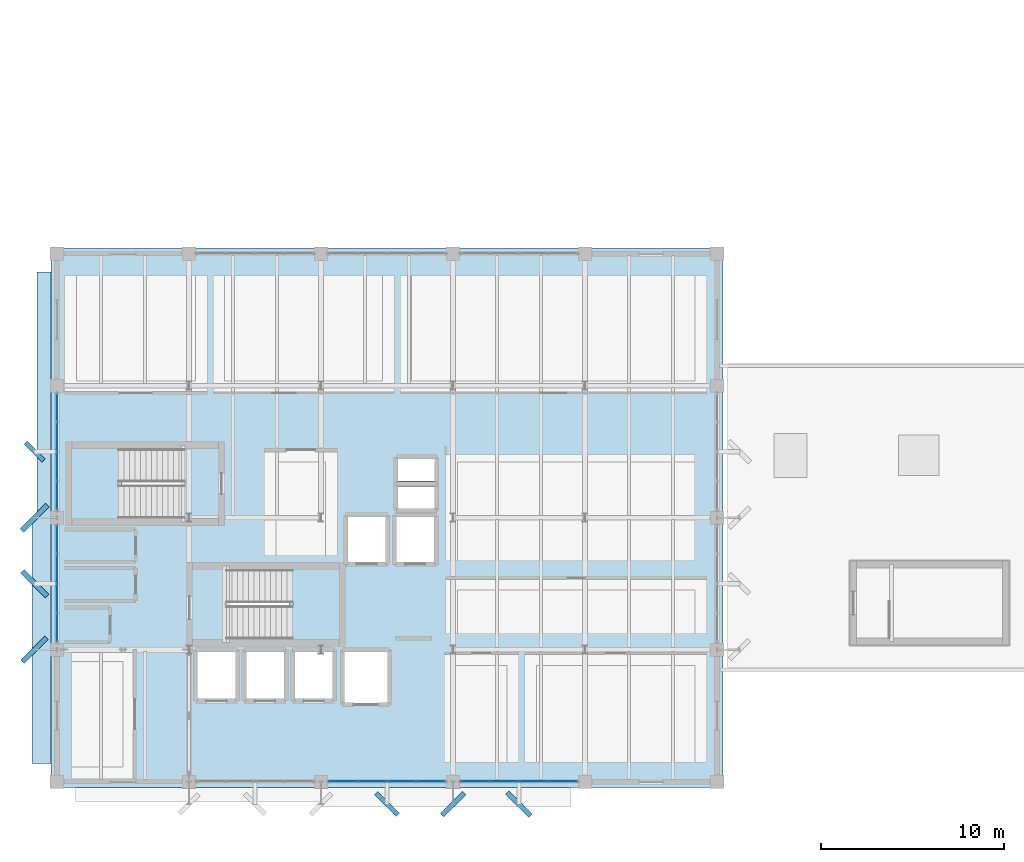
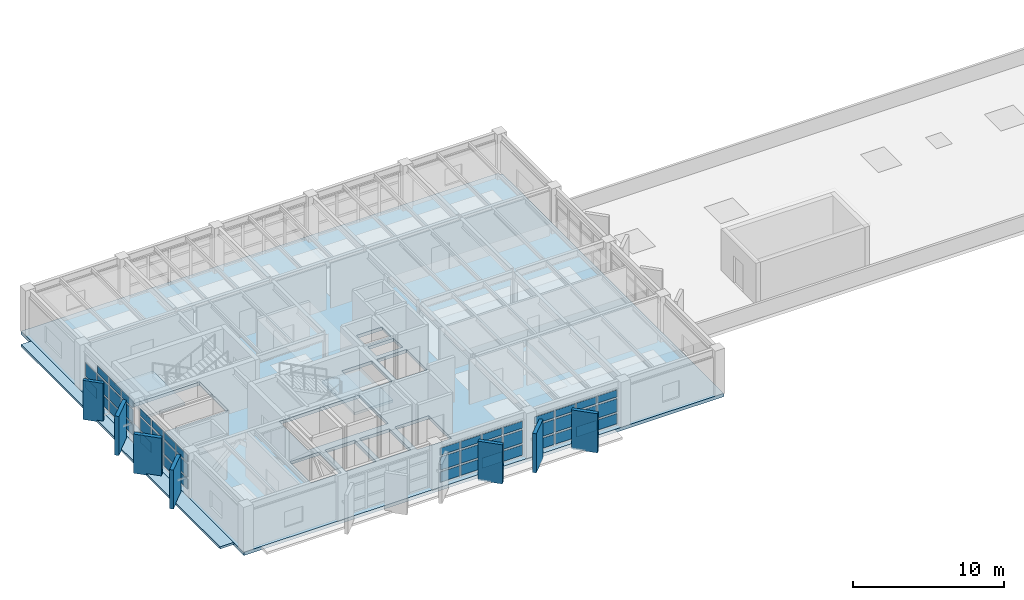
# One storey, part 18 of 32: 54 plates, 4 slabs, 6 elements without a shape of their own.
"""IFC4 building model written with IfcOpenShell, lengths in metres."""

from ifc_helpers import new_model, si_unit, direction, frame, origin, origin_2d, place, context, subcontext, project, spatial, polyline, rectangle, outline, extrude, material, layer, layer_set, type_object, element, aggregate, save


model = new_model("IFC4")

# Units and contexts
model_context = context("Model", 3, precision=1e-05, world=origin(), true_north=direction((0.0, 1.0)))
body_context = subcontext(model_context, "Body", "Model", "MODEL_VIEW")
ifc_project = project(units=[si_unit("LENGTHUNIT", "METRE"), si_unit("AREAUNIT", "SQUARE_METRE"), si_unit("VOLUMEUNIT", "CUBIC_METRE"), si_unit("PLANEANGLEUNIT", "RADIAN"), si_unit("MASSUNIT", "GRAM", prefix="KILO")], contexts=[model_context])

# Site, building, storey
site_placement = place(None, origin())
site = spatial("IfcSite", under=ifc_project, at=site_placement, CompositionType="ELEMENT")
building_placement = place(site_placement, origin())
building = spatial("IfcBuilding", under=site, at=building_placement, Name="Kandorven Conservatory and Botanical Research Centre", CompositionType="ELEMENT")
storey_placement = place(building_placement, frame((0.0, 0.0, 17.10009765625)))
storey = spatial("IfcBuildingStorey", under=building, at=storey_placement, Name="L04", CompositionType="ELEMENT", Elevation=17.10009765625)

# Curtain wall, plates
ifc_material_1 = material(Name="Bronze anodised thermally broken aluminium", Category="aluminium")
ifc_layer_1 = layer(ifc_material_1, 0.179931640625)
ifc_layer_set_1 = layer_set([ifc_layer_1], Name="Bronze anodised thermally broken aluminium")
curtain_wall_type = type_object("IfcCurtainWallType", Name="CW_Unitised", PredefinedType="USERDEFINED", material=ifc_layer_set_1)
curtain_wall_1_placement = place(storey_placement, origin())
curtain_wall_1 = element("IfcCurtainWall", 1, at=curtain_wall_1_placement, inside=storey, type_object=curtain_wall_type, Name="Tower laboratory curtain wall CW-TWR-S-L04-3", ObjectType="UNITISED GLAZING", PredefinedType="USERDEFINED")
ifc_material_2 = material(Name="Double-glazed solar-control low-E glass", Category="glass")
ifc_layer_2 = layer(ifc_material_2, 0.028076171875)
ifc_layer_set_2 = layer_set([ifc_layer_2], Name="Double-glazed solar-control low-E glass")
plate_type_1 = type_object("IfcPlateType", Name="CW_Panel", PredefinedType="CURTAIN_PANEL", material=ifc_layer_set_2)
plate_1_placement = place(storey_placement, frame((21.601318359375, 6.0, 0.14990234375), z_axis=(0.0, 0.0, 1.0), x_axis=(1.0, 0.0, 0.0)))
plate_1 = element("IfcPlate", 2, at=plate_1_placement, type_object=plate_type_1, Name="CW-01 panel 1.1", PredefinedType="CURTAIN_PANEL", context=body_context, shape_type="SweptSolid", body=[
    extrude(rectangle(XDim=1.492431640625, YDim=0.028076171875, at=origin_2d()), origin(), (0.0, 0.0, 1.0), 0.824951171875),
])
plate_2_placement = place(storey_placement, frame((21.601318359375, 6.0, 1.125), z_axis=(0.0, 0.0, 1.0), x_axis=(1.0, 0.0, 0.0)))
plate_2 = element("IfcPlate", 3, at=plate_2_placement, type_object=plate_type_1, Name="CW-01 panel 1.2", PredefinedType="CURTAIN_PANEL", context=body_context, shape_type="SweptSolid", body=[
    extrude(rectangle(XDim=1.492431640625, YDim=0.028076171875, at=origin_2d()), origin(), (0.0, 0.0, 1.0), 1.050048828125),
])
plate_3_placement = place(storey_placement, frame((21.601318359375, 6.0, 2.324951171875), z_axis=(0.0, 0.0, 1.0), x_axis=(1.0, 0.0, 0.0)))
plate_3 = element("IfcPlate", 4, at=plate_3_placement, type_object=plate_type_1, Name="CW-01 panel 1.3", PredefinedType="CURTAIN_PANEL", context=body_context, shape_type="SweptSolid", body=[
    extrude(rectangle(XDim=1.492431640625, YDim=0.028076171875, at=origin_2d()), origin(), (0.0, 0.0, 1.0), 0.56494140625),
])
plate_4_placement = place(storey_placement, frame((23.19384765625, 6.0, 0.14990234375), z_axis=(0.0, 0.0, 1.0), x_axis=(1.0, 0.0, 0.0)))
plate_4 = element("IfcPlate", 5, at=plate_4_placement, type_object=plate_type_1, Name="CW-01 panel 2.1", PredefinedType="CURTAIN_PANEL", context=body_context, shape_type="SweptSolid", body=[
    extrude(rectangle(XDim=1.532470703125, YDim=0.028076171875, at=origin_2d()), origin(), (0.0, 0.0, 1.0), 0.824951171875),
])
plate_5_placement = place(storey_placement, frame((23.19384765625, 6.0, 1.125), z_axis=(0.0, 0.0, 1.0), x_axis=(1.0, 0.0, 0.0)))
plate_5 = element("IfcPlate", 6, at=plate_5_placement, type_object=plate_type_1, Name="CW-01 panel 2.2", PredefinedType="CURTAIN_PANEL", context=body_context, shape_type="SweptSolid", body=[
    extrude(rectangle(XDim=1.532470703125, YDim=0.028076171875, at=origin_2d()), origin(), (0.0, 0.0, 1.0), 1.050048828125),
])
plate_6_placement = place(storey_placement, frame((23.19384765625, 6.0, 2.324951171875), z_axis=(0.0, 0.0, 1.0), x_axis=(1.0, 0.0, 0.0)))
plate_6 = element("IfcPlate", 7, at=plate_6_placement, type_object=plate_type_1, Name="CW-01 panel 2.3", PredefinedType="CURTAIN_PANEL", context=body_context, shape_type="SweptSolid", body=[
    extrude(rectangle(XDim=1.532470703125, YDim=0.028076171875, at=origin_2d()), origin(), (0.0, 0.0, 1.0), 0.56494140625),
])
plate_7_placement = place(storey_placement, frame((24.80615234375, 6.0, 0.14990234375), z_axis=(0.0, 0.0, 1.0), x_axis=(1.0, 0.0, 0.0)))
plate_7 = element("IfcPlate", 8, at=plate_7_placement, type_object=plate_type_1, Name="CW-01 panel 3.1", PredefinedType="CURTAIN_PANEL", context=body_context, shape_type="SweptSolid", body=[
    extrude(rectangle(XDim=1.532470703125, YDim=0.028076171875, at=origin_2d()), origin(), (0.0, 0.0, 1.0), 0.824951171875),
])
plate_8_placement = place(storey_placement, frame((24.80615234375, 6.0, 1.125), z_axis=(0.0, 0.0, 1.0), x_axis=(1.0, 0.0, 0.0)))
plate_8 = element("IfcPlate", 9, at=plate_8_placement, type_object=plate_type_1, Name="CW-01 panel 3.2", PredefinedType="CURTAIN_PANEL", context=body_context, shape_type="SweptSolid", body=[
    extrude(rectangle(XDim=1.532470703125, YDim=0.028076171875, at=origin_2d()), origin(), (0.0, 0.0, 1.0), 1.050048828125),
])
plate_9_placement = place(storey_placement, frame((24.80615234375, 6.0, 2.324951171875), z_axis=(0.0, 0.0, 1.0), x_axis=(1.0, 0.0, 0.0)))
plate_9 = element("IfcPlate", 10, at=plate_9_placement, type_object=plate_type_1, Name="CW-01 panel 3.3", PredefinedType="CURTAIN_PANEL", context=body_context, shape_type="SweptSolid", body=[
    extrude(rectangle(XDim=1.532470703125, YDim=0.028076171875, at=origin_2d()), origin(), (0.0, 0.0, 1.0), 0.56494140625),
])
plate_10_placement = place(storey_placement, frame((26.398681640625, 6.0, 0.14990234375), z_axis=(0.0, 0.0, 1.0), x_axis=(1.0, 0.0, 0.0)))
plate_10 = element("IfcPlate", 11, at=plate_10_placement, type_object=plate_type_1, Name="CW-01 panel 4.1", PredefinedType="CURTAIN_PANEL", context=body_context, shape_type="SweptSolid", body=[
    extrude(rectangle(XDim=1.492431640625, YDim=0.028076171875, at=origin_2d()), origin(), (0.0, 0.0, 1.0), 0.824951171875),
])
plate_11_placement = place(storey_placement, frame((26.398681640625, 6.0, 1.125), z_axis=(0.0, 0.0, 1.0), x_axis=(1.0, 0.0, 0.0)))
plate_11 = element("IfcPlate", 12, at=plate_11_placement, type_object=plate_type_1, Name="CW-01 panel 4.2", PredefinedType="CURTAIN_PANEL", context=body_context, shape_type="SweptSolid", body=[
    extrude(rectangle(XDim=1.492431640625, YDim=0.028076171875, at=origin_2d()), origin(), (0.0, 0.0, 1.0), 1.050048828125),
])
plate_12_placement = place(storey_placement, frame((26.398681640625, 6.0, 2.324951171875), z_axis=(0.0, 0.0, 1.0), x_axis=(1.0, 0.0, 0.0)))
plate_12 = element("IfcPlate", 13, at=plate_12_placement, type_object=plate_type_1, Name="CW-01 panel 4.3", PredefinedType="CURTAIN_PANEL", context=body_context, shape_type="SweptSolid", body=[
    extrude(rectangle(XDim=1.492431640625, YDim=0.028076171875, at=origin_2d()), origin(), (0.0, 0.0, 1.0), 0.56494140625),
])
aggregate(curtain_wall_1, [plate_1, plate_2, plate_3, plate_4, plate_5, plate_6, plate_7, plate_8, plate_9, plate_10, plate_11, plate_12])

curtain_wall_2_placement = place(storey_placement, origin())
curtain_wall_2 = element("IfcCurtainWall", 14, at=curtain_wall_2_placement, inside=storey, type_object=curtain_wall_type, Name="Tower laboratory curtain wall CW-TWR-S-L04-4", ObjectType="UNITISED GLAZING", PredefinedType="USERDEFINED")
plate_13_placement = place(storey_placement, frame((28.80126953125, 6.0, 0.14990234375), z_axis=(0.0, 0.0, 1.0), x_axis=(1.0, 0.0, 0.0)))
plate_13 = element("IfcPlate", 15, at=plate_13_placement, type_object=plate_type_1, Name="CW-01 panel 1.1", PredefinedType="CURTAIN_PANEL", context=body_context, shape_type="SweptSolid", body=[
    extrude(rectangle(XDim=1.492431640625, YDim=0.028076171875, at=origin_2d()), origin(), (0.0, 0.0, 1.0), 0.824951171875),
])
plate_14_placement = place(storey_placement, frame((28.80126953125, 6.0, 1.125), z_axis=(0.0, 0.0, 1.0), x_axis=(1.0, 0.0, 0.0)))
plate_14 = element("IfcPlate", 16, at=plate_14_placement, type_object=plate_type_1, Name="CW-01 panel 1.2", PredefinedType="CURTAIN_PANEL", context=body_context, shape_type="SweptSolid", body=[
    extrude(rectangle(XDim=1.492431640625, YDim=0.028076171875, at=origin_2d()), origin(), (0.0, 0.0, 1.0), 1.050048828125),
])
plate_15_placement = place(storey_placement, frame((28.80126953125, 6.0, 2.324951171875), z_axis=(0.0, 0.0, 1.0), x_axis=(1.0, 0.0, 0.0)))
plate_15 = element("IfcPlate", 17, at=plate_15_placement, type_object=plate_type_1, Name="CW-01 panel 1.3", PredefinedType="CURTAIN_PANEL", context=body_context, shape_type="SweptSolid", body=[
    extrude(rectangle(XDim=1.492431640625, YDim=0.028076171875, at=origin_2d()), origin(), (0.0, 0.0, 1.0), 0.56494140625),
])
plate_16_placement = place(storey_placement, frame((30.393798828125, 6.0, 0.14990234375), z_axis=(0.0, 0.0, 1.0), x_axis=(1.0, 0.0, 0.0)))
plate_16 = element("IfcPlate", 18, at=plate_16_placement, type_object=plate_type_1, Name="CW-01 panel 2.1", PredefinedType="CURTAIN_PANEL", context=body_context, shape_type="SweptSolid", body=[
    extrude(rectangle(XDim=1.532470703125, YDim=0.028076171875, at=origin_2d()), origin(), (0.0, 0.0, 1.0), 0.824951171875),
])
plate_17_placement = place(storey_placement, frame((30.393798828125, 6.0, 1.125), z_axis=(0.0, 0.0, 1.0), x_axis=(1.0, 0.0, 0.0)))
plate_17 = element("IfcPlate", 19, at=plate_17_placement, type_object=plate_type_1, Name="CW-01 panel 2.2", PredefinedType="CURTAIN_PANEL", context=body_context, shape_type="SweptSolid", body=[
    extrude(rectangle(XDim=1.532470703125, YDim=0.028076171875, at=origin_2d()), origin(), (0.0, 0.0, 1.0), 1.050048828125),
])
plate_18_placement = place(storey_placement, frame((30.393798828125, 6.0, 2.324951171875), z_axis=(0.0, 0.0, 1.0), x_axis=(1.0, 0.0, 0.0)))
plate_18 = element("IfcPlate", 20, at=plate_18_placement, type_object=plate_type_1, Name="CW-01 panel 2.3", PredefinedType="CURTAIN_PANEL", context=body_context, shape_type="SweptSolid", body=[
    extrude(rectangle(XDim=1.532470703125, YDim=0.028076171875, at=origin_2d()), origin(), (0.0, 0.0, 1.0), 0.56494140625),
])
plate_19_placement = place(storey_placement, frame((32.00634765625, 6.0, 0.14990234375), z_axis=(0.0, 0.0, 1.0), x_axis=(1.0, 0.0, 0.0)))
plate_19 = element("IfcPlate", 21, at=plate_19_placement, type_object=plate_type_1, Name="CW-01 panel 3.1", PredefinedType="CURTAIN_PANEL", context=body_context, shape_type="SweptSolid", body=[
    extrude(rectangle(XDim=1.532470703125, YDim=0.028076171875, at=origin_2d()), origin(), (0.0, 0.0, 1.0), 0.824951171875),
])
plate_20_placement = place(storey_placement, frame((32.00634765625, 6.0, 1.125), z_axis=(0.0, 0.0, 1.0), x_axis=(1.0, 0.0, 0.0)))
plate_20 = element("IfcPlate", 22, at=plate_20_placement, type_object=plate_type_1, Name="CW-01 panel 3.2", PredefinedType="CURTAIN_PANEL", context=body_context, shape_type="SweptSolid", body=[
    extrude(rectangle(XDim=1.532470703125, YDim=0.028076171875, at=origin_2d()), origin(), (0.0, 0.0, 1.0), 1.050048828125),
])
plate_21_placement = place(storey_placement, frame((32.00634765625, 6.0, 2.324951171875), z_axis=(0.0, 0.0, 1.0), x_axis=(1.0, 0.0, 0.0)))
plate_21 = element("IfcPlate", 23, at=plate_21_placement, type_object=plate_type_1, Name="CW-01 panel 3.3", PredefinedType="CURTAIN_PANEL", context=body_context, shape_type="SweptSolid", body=[
    extrude(rectangle(XDim=1.532470703125, YDim=0.028076171875, at=origin_2d()), origin(), (0.0, 0.0, 1.0), 0.56494140625),
])
plate_22_placement = place(storey_placement, frame((33.5986328125, 6.0, 0.14990234375), z_axis=(0.0, 0.0, 1.0), x_axis=(1.0, 0.0, 0.0)))
plate_22 = element("IfcPlate", 24, at=plate_22_placement, type_object=plate_type_1, Name="CW-01 panel 4.1", PredefinedType="CURTAIN_PANEL", context=body_context, shape_type="SweptSolid", body=[
    extrude(rectangle(XDim=1.492431640625, YDim=0.028076171875, at=origin_2d()), origin(), (0.0, 0.0, 1.0), 0.824951171875),
])
plate_23_placement = place(storey_placement, frame((33.5986328125, 6.0, 1.125), z_axis=(0.0, 0.0, 1.0), x_axis=(1.0, 0.0, 0.0)))
plate_23 = element("IfcPlate", 25, at=plate_23_placement, type_object=plate_type_1, Name="CW-01 panel 4.2", PredefinedType="CURTAIN_PANEL", context=body_context, shape_type="SweptSolid", body=[
    extrude(rectangle(XDim=1.492431640625, YDim=0.028076171875, at=origin_2d()), origin(), (0.0, 0.0, 1.0), 1.050048828125),
])
plate_24_placement = place(storey_placement, frame((33.5986328125, 6.0, 2.324951171875), z_axis=(0.0, 0.0, 1.0), x_axis=(1.0, 0.0, 0.0)))
plate_24 = element("IfcPlate", 26, at=plate_24_placement, type_object=plate_type_1, Name="CW-01 panel 4.3", PredefinedType="CURTAIN_PANEL", context=body_context, shape_type="SweptSolid", body=[
    extrude(rectangle(XDim=1.492431640625, YDim=0.028076171875, at=origin_2d()), origin(), (0.0, 0.0, 1.0), 0.56494140625),
])
aggregate(curtain_wall_2, [plate_13, plate_14, plate_15, plate_16, plate_17, plate_18, plate_19, plate_20, plate_21, plate_22, plate_23, plate_24])

curtain_wall_3_placement = place(storey_placement, origin())
curtain_wall_3 = element("IfcCurtainWall", 27, at=curtain_wall_3_placement, inside=storey, type_object=curtain_wall_type, Name="Tower laboratory curtain wall CW-TWR-W-L04-2", ObjectType="UNITISED GLAZING", PredefinedType="USERDEFINED")
plate_25_placement = place(storey_placement, frame((6.0, 14.4013671875, 0.14990234375), z_axis=(0.0, 0.0, 1.0), x_axis=(0.0, 1.0, 0.0)))
plate_25 = element("IfcPlate", 28, at=plate_25_placement, type_object=plate_type_1, Name="CW-01 panel 1.1", PredefinedType="CURTAIN_PANEL", context=body_context, shape_type="SweptSolid", body=[
    extrude(rectangle(XDim=1.492431640625, YDim=0.028076171875, at=origin_2d()), origin(), (0.0, 0.0, 1.0), 0.824951171875),
])
plate_26_placement = place(storey_placement, frame((6.0, 14.4013671875, 1.125), z_axis=(0.0, 0.0, 1.0), x_axis=(0.0, 1.0, 0.0)))
plate_26 = element("IfcPlate", 29, at=plate_26_placement, type_object=plate_type_1, Name="CW-01 panel 1.2", PredefinedType="CURTAIN_PANEL", context=body_context, shape_type="SweptSolid", body=[
    extrude(rectangle(XDim=1.492431640625, YDim=0.028076171875, at=origin_2d()), origin(), (0.0, 0.0, 1.0), 1.050048828125),
])
plate_27_placement = place(storey_placement, frame((6.0, 14.4013671875, 2.324951171875), z_axis=(0.0, 0.0, 1.0), x_axis=(0.0, 1.0, 0.0)))
plate_27 = element("IfcPlate", 30, at=plate_27_placement, type_object=plate_type_1, Name="CW-01 panel 1.3", PredefinedType="CURTAIN_PANEL", context=body_context, shape_type="SweptSolid", body=[
    extrude(rectangle(XDim=1.492431640625, YDim=0.028076171875, at=origin_2d()), origin(), (0.0, 0.0, 1.0), 0.56494140625),
])
plate_28_placement = place(storey_placement, frame((6.0, 15.99365234375, 0.14990234375), z_axis=(0.0, 0.0, 1.0), x_axis=(0.0, 1.0, 0.0)))
plate_28 = element("IfcPlate", 31, at=plate_28_placement, type_object=plate_type_1, Name="CW-01 panel 2.1", PredefinedType="CURTAIN_PANEL", context=body_context, shape_type="SweptSolid", body=[
    extrude(rectangle(XDim=1.532470703125, YDim=0.028076171875, at=origin_2d()), origin(), (0.0, 0.0, 1.0), 0.824951171875),
])
plate_29_placement = place(storey_placement, frame((6.0, 15.99365234375, 1.125), z_axis=(0.0, 0.0, 1.0), x_axis=(0.0, 1.0, 0.0)))
plate_29 = element("IfcPlate", 32, at=plate_29_placement, type_object=plate_type_1, Name="CW-01 panel 2.2", PredefinedType="CURTAIN_PANEL", context=body_context, shape_type="SweptSolid", body=[
    extrude(rectangle(XDim=1.532470703125, YDim=0.028076171875, at=origin_2d()), origin(), (0.0, 0.0, 1.0), 1.050048828125),
])
plate_30_placement = place(storey_placement, frame((6.0, 15.99365234375, 2.324951171875), z_axis=(0.0, 0.0, 1.0), x_axis=(0.0, 1.0, 0.0)))
plate_30 = element("IfcPlate", 33, at=plate_30_placement, type_object=plate_type_1, Name="CW-01 panel 2.3", PredefinedType="CURTAIN_PANEL", context=body_context, shape_type="SweptSolid", body=[
    extrude(rectangle(XDim=1.532470703125, YDim=0.028076171875, at=origin_2d()), origin(), (0.0, 0.0, 1.0), 0.56494140625),
])
plate_31_placement = place(storey_placement, frame((6.0, 17.606201171875, 0.14990234375), z_axis=(0.0, 0.0, 1.0), x_axis=(0.0, 1.0, 0.0)))
plate_31 = element("IfcPlate", 34, at=plate_31_placement, type_object=plate_type_1, Name="CW-01 panel 3.1", PredefinedType="CURTAIN_PANEL", context=body_context, shape_type="SweptSolid", body=[
    extrude(rectangle(XDim=1.532470703125, YDim=0.028076171875, at=origin_2d()), origin(), (0.0, 0.0, 1.0), 0.824951171875),
])
plate_32_placement = place(storey_placement, frame((6.0, 17.606201171875, 1.125), z_axis=(0.0, 0.0, 1.0), x_axis=(0.0, 1.0, 0.0)))
plate_32 = element("IfcPlate", 35, at=plate_32_placement, type_object=plate_type_1, Name="CW-01 panel 3.2", PredefinedType="CURTAIN_PANEL", context=body_context, shape_type="SweptSolid", body=[
    extrude(rectangle(XDim=1.532470703125, YDim=0.028076171875, at=origin_2d()), origin(), (0.0, 0.0, 1.0), 1.050048828125),
])
plate_33_placement = place(storey_placement, frame((6.0, 17.606201171875, 2.324951171875), z_axis=(0.0, 0.0, 1.0), x_axis=(0.0, 1.0, 0.0)))
plate_33 = element("IfcPlate", 36, at=plate_33_placement, type_object=plate_type_1, Name="CW-01 panel 3.3", PredefinedType="CURTAIN_PANEL", context=body_context, shape_type="SweptSolid", body=[
    extrude(rectangle(XDim=1.532470703125, YDim=0.028076171875, at=origin_2d()), origin(), (0.0, 0.0, 1.0), 0.56494140625),
])
plate_34_placement = place(storey_placement, frame((6.0, 19.19873046875, 0.14990234375), z_axis=(0.0, 0.0, 1.0), x_axis=(0.0, 1.0, 0.0)))
plate_34 = element("IfcPlate", 37, at=plate_34_placement, type_object=plate_type_1, Name="CW-01 panel 4.1", PredefinedType="CURTAIN_PANEL", context=body_context, shape_type="SweptSolid", body=[
    extrude(rectangle(XDim=1.492431640625, YDim=0.028076171875, at=origin_2d()), origin(), (0.0, 0.0, 1.0), 0.824951171875),
])
plate_35_placement = place(storey_placement, frame((6.0, 19.19873046875, 1.125), z_axis=(0.0, 0.0, 1.0), x_axis=(0.0, 1.0, 0.0)))
plate_35 = element("IfcPlate", 38, at=plate_35_placement, type_object=plate_type_1, Name="CW-01 panel 4.2", PredefinedType="CURTAIN_PANEL", context=body_context, shape_type="SweptSolid", body=[
    extrude(rectangle(XDim=1.492431640625, YDim=0.028076171875, at=origin_2d()), origin(), (0.0, 0.0, 1.0), 1.050048828125),
])
plate_36_placement = place(storey_placement, frame((6.0, 19.19873046875, 2.324951171875), z_axis=(0.0, 0.0, 1.0), x_axis=(0.0, 1.0, 0.0)))
plate_36 = element("IfcPlate", 39, at=plate_36_placement, type_object=plate_type_1, Name="CW-01 panel 4.3", PredefinedType="CURTAIN_PANEL", context=body_context, shape_type="SweptSolid", body=[
    extrude(rectangle(XDim=1.492431640625, YDim=0.028076171875, at=origin_2d()), origin(), (0.0, 0.0, 1.0), 0.56494140625),
])
aggregate(curtain_wall_3, [plate_25, plate_26, plate_27, plate_28, plate_29, plate_30, plate_31, plate_32, plate_33, plate_34, plate_35, plate_36])

curtain_wall_4_placement = place(storey_placement, origin())
curtain_wall_4 = element("IfcCurtainWall", 40, at=curtain_wall_4_placement, inside=storey, type_object=curtain_wall_type, Name="Tower laboratory curtain wall CW-TWR-W-L04-3", ObjectType="UNITISED GLAZING", PredefinedType="USERDEFINED")
plate_37_placement = place(storey_placement, frame((6.0, 21.601318359375, 0.14990234375), z_axis=(0.0, 0.0, 1.0), x_axis=(0.0, 1.0, 0.0)))
plate_37 = element("IfcPlate", 41, at=plate_37_placement, type_object=plate_type_1, Name="CW-01 panel 1.1", PredefinedType="CURTAIN_PANEL", context=body_context, shape_type="SweptSolid", body=[
    extrude(rectangle(XDim=1.492431640625, YDim=0.028076171875, at=origin_2d()), origin(), (0.0, 0.0, 1.0), 0.824951171875),
])
plate_38_placement = place(storey_placement, frame((6.0, 21.601318359375, 1.125), z_axis=(0.0, 0.0, 1.0), x_axis=(0.0, 1.0, 0.0)))
plate_38 = element("IfcPlate", 42, at=plate_38_placement, type_object=plate_type_1, Name="CW-01 panel 1.2", PredefinedType="CURTAIN_PANEL", context=body_context, shape_type="SweptSolid", body=[
    extrude(rectangle(XDim=1.492431640625, YDim=0.028076171875, at=origin_2d()), origin(), (0.0, 0.0, 1.0), 1.050048828125),
])
plate_39_placement = place(storey_placement, frame((6.0, 21.601318359375, 2.324951171875), z_axis=(0.0, 0.0, 1.0), x_axis=(0.0, 1.0, 0.0)))
plate_39 = element("IfcPlate", 43, at=plate_39_placement, type_object=plate_type_1, Name="CW-01 panel 1.3", PredefinedType="CURTAIN_PANEL", context=body_context, shape_type="SweptSolid", body=[
    extrude(rectangle(XDim=1.492431640625, YDim=0.028076171875, at=origin_2d()), origin(), (0.0, 0.0, 1.0), 0.56494140625),
])
plate_40_placement = place(storey_placement, frame((6.0, 23.19384765625, 0.14990234375), z_axis=(0.0, 0.0, 1.0), x_axis=(0.0, 1.0, 0.0)))
plate_40 = element("IfcPlate", 44, at=plate_40_placement, type_object=plate_type_1, Name="CW-01 panel 2.1", PredefinedType="CURTAIN_PANEL", context=body_context, shape_type="SweptSolid", body=[
    extrude(rectangle(XDim=1.532470703125, YDim=0.028076171875, at=origin_2d()), origin(), (0.0, 0.0, 1.0), 0.824951171875),
])
plate_41_placement = place(storey_placement, frame((6.0, 23.19384765625, 1.125), z_axis=(0.0, 0.0, 1.0), x_axis=(0.0, 1.0, 0.0)))
plate_41 = element("IfcPlate", 45, at=plate_41_placement, type_object=plate_type_1, Name="CW-01 panel 2.2", PredefinedType="CURTAIN_PANEL", context=body_context, shape_type="SweptSolid", body=[
    extrude(rectangle(XDim=1.532470703125, YDim=0.028076171875, at=origin_2d()), origin(), (0.0, 0.0, 1.0), 1.050048828125),
])
plate_42_placement = place(storey_placement, frame((6.0, 23.19384765625, 2.324951171875), z_axis=(0.0, 0.0, 1.0), x_axis=(0.0, 1.0, 0.0)))
plate_42 = element("IfcPlate", 46, at=plate_42_placement, type_object=plate_type_1, Name="CW-01 panel 2.3", PredefinedType="CURTAIN_PANEL", context=body_context, shape_type="SweptSolid", body=[
    extrude(rectangle(XDim=1.532470703125, YDim=0.028076171875, at=origin_2d()), origin(), (0.0, 0.0, 1.0), 0.56494140625),
])
plate_43_placement = place(storey_placement, frame((6.0, 24.80615234375, 0.14990234375), z_axis=(0.0, 0.0, 1.0), x_axis=(0.0, 1.0, 0.0)))
plate_43 = element("IfcPlate", 47, at=plate_43_placement, type_object=plate_type_1, Name="CW-01 panel 3.1", PredefinedType="CURTAIN_PANEL", context=body_context, shape_type="SweptSolid", body=[
    extrude(rectangle(XDim=1.532470703125, YDim=0.028076171875, at=origin_2d()), origin(), (0.0, 0.0, 1.0), 0.824951171875),
])
plate_44_placement = place(storey_placement, frame((6.0, 24.80615234375, 1.125), z_axis=(0.0, 0.0, 1.0), x_axis=(0.0, 1.0, 0.0)))
plate_44 = element("IfcPlate", 48, at=plate_44_placement, type_object=plate_type_1, Name="CW-01 panel 3.2", PredefinedType="CURTAIN_PANEL", context=body_context, shape_type="SweptSolid", body=[
    extrude(rectangle(XDim=1.532470703125, YDim=0.028076171875, at=origin_2d()), origin(), (0.0, 0.0, 1.0), 1.050048828125),
])
plate_45_placement = place(storey_placement, frame((6.0, 24.80615234375, 2.324951171875), z_axis=(0.0, 0.0, 1.0), x_axis=(0.0, 1.0, 0.0)))
plate_45 = element("IfcPlate", 49, at=plate_45_placement, type_object=plate_type_1, Name="CW-01 panel 3.3", PredefinedType="CURTAIN_PANEL", context=body_context, shape_type="SweptSolid", body=[
    extrude(rectangle(XDim=1.532470703125, YDim=0.028076171875, at=origin_2d()), origin(), (0.0, 0.0, 1.0), 0.56494140625),
])
plate_46_placement = place(storey_placement, frame((6.0, 26.398681640625, 0.14990234375), z_axis=(0.0, 0.0, 1.0), x_axis=(0.0, 1.0, 0.0)))
plate_46 = element("IfcPlate", 50, at=plate_46_placement, type_object=plate_type_1, Name="CW-01 panel 4.1", PredefinedType="CURTAIN_PANEL", context=body_context, shape_type="SweptSolid", body=[
    extrude(rectangle(XDim=1.492431640625, YDim=0.028076171875, at=origin_2d()), origin(), (0.0, 0.0, 1.0), 0.824951171875),
])
plate_47_placement = place(storey_placement, frame((6.0, 26.398681640625, 1.125), z_axis=(0.0, 0.0, 1.0), x_axis=(0.0, 1.0, 0.0)))
plate_47 = element("IfcPlate", 51, at=plate_47_placement, type_object=plate_type_1, Name="CW-01 panel 4.2", PredefinedType="CURTAIN_PANEL", context=body_context, shape_type="SweptSolid", body=[
    extrude(rectangle(XDim=1.492431640625, YDim=0.028076171875, at=origin_2d()), origin(), (0.0, 0.0, 1.0), 1.050048828125),
])
aggregate(curtain_wall_4, [plate_37, plate_38, plate_39, plate_40, plate_41, plate_42, plate_43, plate_44, plate_45, plate_46, plate_47])

# Plates
ifc_material_3 = material(Name="Precast concrete C40/50 (M50)", Category="concrete")
ifc_layer_3 = layer(ifc_material_3, 0.239990234375)
ifc_layer_set_3 = layer_set([ifc_layer_3], Name="Precast concrete C40/50 (M50)")
plate_type_2 = type_object("IfcPlateType", Name="Fin_BF-01", PredefinedType="USERDEFINED", material=ifc_layer_set_3)
plate_48_placement = place(storey_placement, frame((4.780029296875, 24.0, -0.1201171875), z_axis=(0.0, 0.0, 1.0), x_axis=(-0.707106781187, 0.707106781187, 0.0)))
element("IfcPlate", 52, at=plate_48_placement, inside=storey, type_object=plate_type_2, Name="Sculpted board-marked concrete brise-soleil fin BF-01", ObjectType="SOLAR FIN", PredefinedType="USERDEFINED", context=body_context, shape_type="SweptSolid", body=[
    extrude(rectangle(XDim=1.39990234375, YDim=0.239990234375, at=origin_2d()), origin(), (0.0, 0.0, 1.0), 3.159912109375),
])
ifc_material_4 = material(Name="Precast concrete C40/50 (M50)", Category="concrete")
ifc_layer_4 = layer(ifc_material_4, 0.261962890625)
ifc_layer_set_4 = layer_set([ifc_layer_4], Name="Precast concrete C40/50 (M50)")
plate_type_3 = type_object("IfcPlateType", Name="Fin_BF-15", PredefinedType="USERDEFINED", material=ifc_layer_set_4)
plate_49_placement = place(storey_placement, frame((24.0, 4.780029296875, -0.1201171875), z_axis=(0.0, 0.0, 1.0), x_axis=(-0.707106781187, 0.707106781187, 0.0)))
element("IfcPlate", 53, at=plate_49_placement, inside=storey, type_object=plate_type_3, Name="Sculpted board-marked concrete brise-soleil fin BF-15", ObjectType="SOLAR FIN", PredefinedType="USERDEFINED", context=body_context, shape_type="SweptSolid", body=[
    extrude(rectangle(XDim=1.669921875, YDim=0.261962890625, at=origin_2d()), origin(), (0.0, 0.0, 1.0), 3.159912109375),
])
ifc_material_5 = material(Name="Precast concrete C40/50 (M50)", Category="concrete")
ifc_layer_5 = layer(ifc_material_5, 0.26611328125)
ifc_layer_set_5 = layer_set([ifc_layer_5], Name="Precast concrete C40/50 (M50)")
plate_type_4 = type_object("IfcPlateType", Name="Fin_BF-16", PredefinedType="USERDEFINED", material=ifc_layer_set_5)
plate_50_placement = place(storey_placement, frame((27.60009765625, 4.780029296875, -0.1201171875), z_axis=(0.0, 0.0, 1.0), x_axis=(0.707106781187, 0.707106781187, 0.0)))
element("IfcPlate", 54, at=plate_50_placement, inside=storey, type_object=plate_type_4, Name="Sculpted board-marked concrete brise-soleil fin BF-16", ObjectType="SOLAR FIN", PredefinedType="USERDEFINED", context=body_context, shape_type="SweptSolid", body=[
    extrude(rectangle(XDim=1.72998046875, YDim=0.26611328125, at=origin_2d()), origin(), (0.0, 0.0, 1.0), 3.159912109375),
])
ifc_material_6 = material(Name="Precast concrete C40/50 (M50)", Category="concrete")
ifc_layer_6 = layer(ifc_material_6, 0.27197265625)
ifc_layer_set_6 = layer_set([ifc_layer_6], Name="Precast concrete C40/50 (M50)")
plate_type_5 = type_object("IfcPlateType", Name="Fin_BF-17", PredefinedType="USERDEFINED", material=ifc_layer_set_6)
plate_51_placement = place(storey_placement, frame((31.199951171875, 4.780029296875, -0.1201171875), z_axis=(0.0, 0.0, 1.0), x_axis=(-0.707106781187, 0.707106781187, 0.0)))
element("IfcPlate", 55, at=plate_51_placement, inside=storey, type_object=plate_type_5, Name="Sculpted board-marked concrete brise-soleil fin BF-17", ObjectType="SOLAR FIN", PredefinedType="USERDEFINED", context=body_context, shape_type="SweptSolid", body=[
    extrude(rectangle(XDim=1.7900390625, YDim=0.27197265625, at=origin_2d()), origin(), (0.0, 0.0, 1.0), 3.159912109375),
])
ifc_material_7 = material(Name="Precast concrete C40/50 (M50)", Category="concrete")
ifc_layer_7 = layer(ifc_material_7, 0.27587890625)
ifc_layer_set_7 = layer_set([ifc_layer_7], Name="Precast concrete C40/50 (M50)")
plate_type_6 = type_object("IfcPlateType", Name="Fin_BF-18", PredefinedType="USERDEFINED", material=ifc_layer_set_7)
plate_52_placement = place(storey_placement, frame((4.780029296875, 13.199951171875, -0.1201171875), z_axis=(0.0, 0.0, 1.0), x_axis=(0.707106781187, 0.707106781187, 0.0)))
element("IfcPlate", 56, at=plate_52_placement, inside=storey, type_object=plate_type_6, Name="Sculpted board-marked concrete brise-soleil fin BF-18", ObjectType="SOLAR FIN", PredefinedType="USERDEFINED", context=body_context, shape_type="SweptSolid", body=[
    extrude(rectangle(XDim=1.85009765625, YDim=0.27587890625, at=origin_2d()), origin(), (0.0, 0.0, 1.0), 3.159912109375),
])
ifc_material_8 = material(Name="Precast concrete C40/50 (M50)", Category="concrete")
ifc_layer_8 = layer(ifc_material_8, 0.281982421875)
ifc_layer_set_8 = layer_set([ifc_layer_8], Name="Precast concrete C40/50 (M50)")
plate_type_7 = type_object("IfcPlateType", Name="Fin_BF-19", PredefinedType="USERDEFINED", material=ifc_layer_set_8)
plate_53_placement = place(storey_placement, frame((4.780029296875, 16.800048828125, -0.1201171875), z_axis=(0.0, 0.0, 1.0), x_axis=(-0.707106781187, 0.707106781187, 0.0)))
element("IfcPlate", 57, at=plate_53_placement, inside=storey, type_object=plate_type_7, Name="Sculpted board-marked concrete brise-soleil fin BF-19", ObjectType="SOLAR FIN", PredefinedType="USERDEFINED", context=body_context, shape_type="SweptSolid", body=[
    extrude(rectangle(XDim=1.909912109375, YDim=0.281982421875, at=origin_2d()), origin(), (0.0, 0.0, 1.0), 3.159912109375),
])
ifc_material_9 = material(Name="Precast concrete C40/50 (M50)", Category="concrete")
ifc_layer_9 = layer(ifc_material_9, 0.2880859375)
ifc_layer_set_9 = layer_set([ifc_layer_9], Name="Precast concrete C40/50 (M50)")
plate_type_8 = type_object("IfcPlateType", Name="Fin_BF-20", PredefinedType="USERDEFINED", material=ifc_layer_set_9)
plate_54_placement = place(storey_placement, frame((4.780029296875, 20.39990234375, -0.1201171875), z_axis=(0.0, 0.0, 1.0), x_axis=(0.707106781187, 0.707106781187, 0.0)))
element("IfcPlate", 58, at=plate_54_placement, inside=storey, type_object=plate_type_8, Name="Sculpted board-marked concrete brise-soleil fin BF-20", ObjectType="SOLAR FIN", PredefinedType="USERDEFINED", context=body_context, shape_type="SweptSolid", body=[
    extrude(rectangle(XDim=1.969970703125, YDim=0.2880859375, at=origin_2d()), origin(), (0.0, 0.0, 1.0), 3.159912109375),
])

# Slabs
ifc_material_10 = material(Name="Concrete C32/40 (M40)", Category="concrete")
ifc_layer_10 = layer(ifc_material_10, 0.264892578125)
ifc_layer_set_10 = layer_set([ifc_layer_10], Name="Concrete C32/40 (M40)")
slab_type_1 = type_object("IfcSlabType", Name="Slab_SL-05", PredefinedType="FLOOR", material=ifc_layer_set_10)
slab_1_placement = place(storey_placement, frame((0.0, 0.0, -0.26513671875)))
element("IfcSlab", 59, at=slab_1_placement, inside=storey, type_object=slab_type_1, Name="Tower floor slab L04", PredefinedType="FLOOR", context=body_context, shape_type="SweptSolid", body=[
    extrude(outline(polyline([(5.679931640625, 5.679931640625), (42.320068359375, 5.679931640625), (42.320068359375, 34.919921875), (42.1201171875, 34.919921875), (42.1201171875, 35.1201171875), (5.679931640625, 35.1201171875), (5.679931640625, 5.679931640625)]), holes=[polyline([(15.239990234375, 13.780029296875), (21.3798828125, 13.780029296875), (21.3798828125, 17.570068359375), (15.239990234375, 17.570068359375), (15.239990234375, 13.780029296875)]), polyline([(12.9599609375, 24.14990234375), (6.820068359375, 24.14990234375), (6.820068359375, 20.360107421875), (12.9599609375, 20.360107421875), (12.9599609375, 24.14990234375)]), polyline([(21.75, 17.85009765625), (24.050048828125, 17.85009765625), (24.050048828125, 20.550048828125), (21.75, 20.550048828125), (21.75, 17.85009765625)]), polyline([(24.39990234375, 17.85009765625), (26.699951171875, 17.85009765625), (26.699951171875, 20.550048828125), (24.39990234375, 20.550048828125), (24.39990234375, 17.85009765625)]), polyline([(13.550048828125, 10.39990234375), (15.85009765625, 10.39990234375), (15.85009765625, 13.199951171875), (13.550048828125, 13.199951171875), (13.550048828125, 10.39990234375)]), polyline([(16.199951171875, 10.39990234375), (18.5, 10.39990234375), (18.5, 13.199951171875), (16.199951171875, 13.199951171875), (16.199951171875, 10.39990234375)]), polyline([(18.85009765625, 10.39990234375), (21.14990234375, 10.39990234375), (21.14990234375, 13.199951171875), (18.85009765625, 13.199951171875), (18.85009765625, 10.39990234375)]), polyline([(21.550048828125, 10.199951171875), (24.14990234375, 10.199951171875), (24.14990234375, 13.199951171875), (21.550048828125, 13.199951171875), (21.550048828125, 10.199951171875)]), polyline([(24.60009765625, 20.89990234375), (26.60009765625, 20.89990234375), (26.60009765625, 22.10009765625), (24.60009765625, 22.10009765625), (24.60009765625, 20.89990234375)]), polyline([(24.60009765625, 22.39990234375), (26.60009765625, 22.39990234375), (26.60009765625, 23.60009765625), (24.60009765625, 23.60009765625), (24.60009765625, 22.39990234375)])]), origin(), (0.0, 0.0, 1.0), 0.26513671875),
])
ifc_material_11 = material(Name="Concrete C32/40 (M40)", Category="concrete")
ifc_layer_11 = layer(ifc_material_11, 0.169921875)
ifc_layer_set_11 = layer_set([ifc_layer_11], Name="Concrete C32/40 (M40)")
slab_type_2 = type_object("IfcSlabType", Name="Slab_SL-13", PredefinedType="FLOOR", material=ifc_layer_set_11)
slab_2_placement = place(storey_placement, frame((0.0, 0.0, -0.170166015625)))
element("IfcSlab", 60, at=slab_2_placement, inside=storey, type_object=slab_type_2, Name="Tower west sculpted concrete solar-hood slab L04", PredefinedType="FLOOR", context=body_context, shape_type="SweptSolid", body=[
    extrude(outline(polyline([(4.6298828125, 7.0), (5.679931640625, 7.0), (5.679931640625, 33.800048828125), (4.89990234375, 33.800048828125), (4.89990234375, 20.39990234375), (4.6298828125, 20.39990234375), (4.6298828125, 7.0)])), origin(), (0.0, 0.0, 1.0), 0.170166015625),
])

# Stair, slab
ifc_material_12 = material(Name="Concrete C32/40 (M40)", Category="concrete")
stair_type = type_object("IfcStairType", Name="Stair_1820", PredefinedType="HALF_TURN_STAIR", material=ifc_material_12)
stair_1_placement = place(storey_placement, origin())
stair_1 = element("IfcStair", 61, at=stair_1_placement, inside=storey, type_object=stair_type, Name="L04 Tower Fire Stair ST-T1", PredefinedType="HALF_TURN_STAIR")
ifc_material_13 = material(Name="Concrete C32/40 (M40)", Category="concrete")
ifc_layer_12 = layer(ifc_material_13, 0.199951171875)
ifc_layer_set_12 = layer_set([ifc_layer_12], Name="Concrete C32/40 (M40)")
slab_type_3 = type_object("IfcSlabType", Name="StairLanding_200", PredefinedType="LANDING", material=ifc_layer_set_12)
slab_3_placement = place(storey_placement, frame((0.0, 0.0, 1.75)))
slab_3 = element("IfcSlab", 62, at=slab_3_placement, type_object=slab_type_3, Name="ST-T1 landing 1", PredefinedType="LANDING", context=body_context, shape_type="SweptSolid", body=[
    extrude(outline(polyline([(18.659423828125, 13.5400390625), (21.6201171875, 13.5400390625), (21.6201171875, 17.81005859375), (18.659423828125, 17.81005859375), (18.659423828125, 13.5400390625)])), origin(), (0.0, 0.0, 1.0), 0.199951171875),
])
aggregate(stair_1, [slab_3])

stair_2_placement = place(storey_placement, origin())
stair_2 = element("IfcStair", 63, at=stair_2_placement, inside=storey, type_object=stair_type, Name="L04 Tower Fire Stair ST-T2", PredefinedType="HALF_TURN_STAIR")
slab_4_placement = place(storey_placement, frame((0.0, 0.0, 1.75)))
slab_4 = element("IfcSlab", 64, at=slab_4_placement, type_object=slab_type_3, Name="ST-T2 landing 1", PredefinedType="LANDING", context=body_context, shape_type="SweptSolid", body=[
    extrude(outline(polyline([(9.54052734375, 24.389892578125), (6.580078125, 24.389892578125), (6.580078125, 20.1201171875), (9.54052734375, 20.1201171875), (9.54052734375, 24.389892578125)])), origin(), (0.0, 0.0, 1.0), 0.199951171875),
])
aggregate(stair_2, [slab_4])

save(model, "model.ifc")
